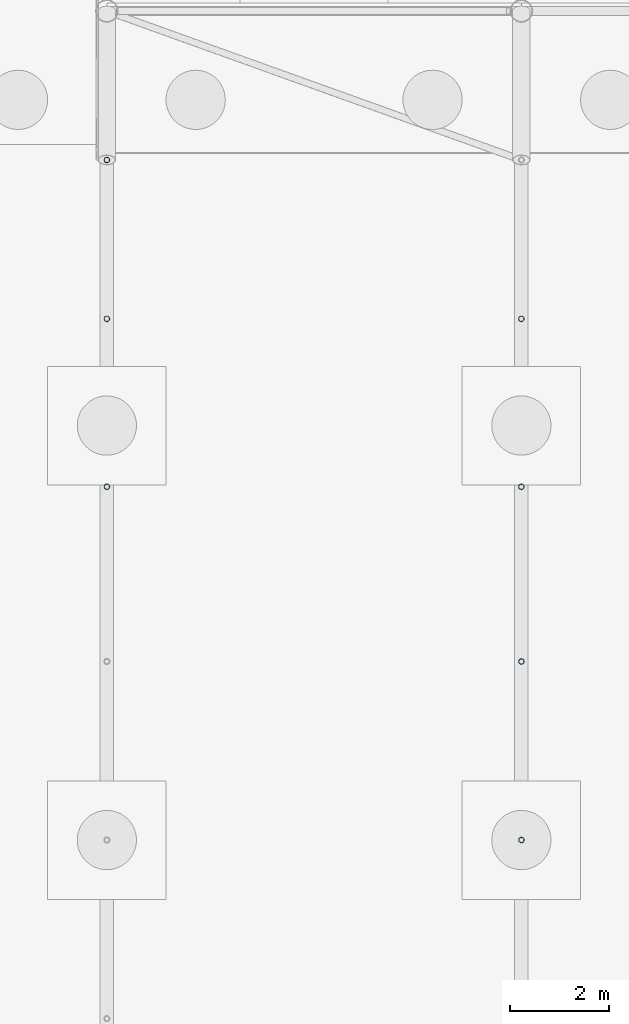
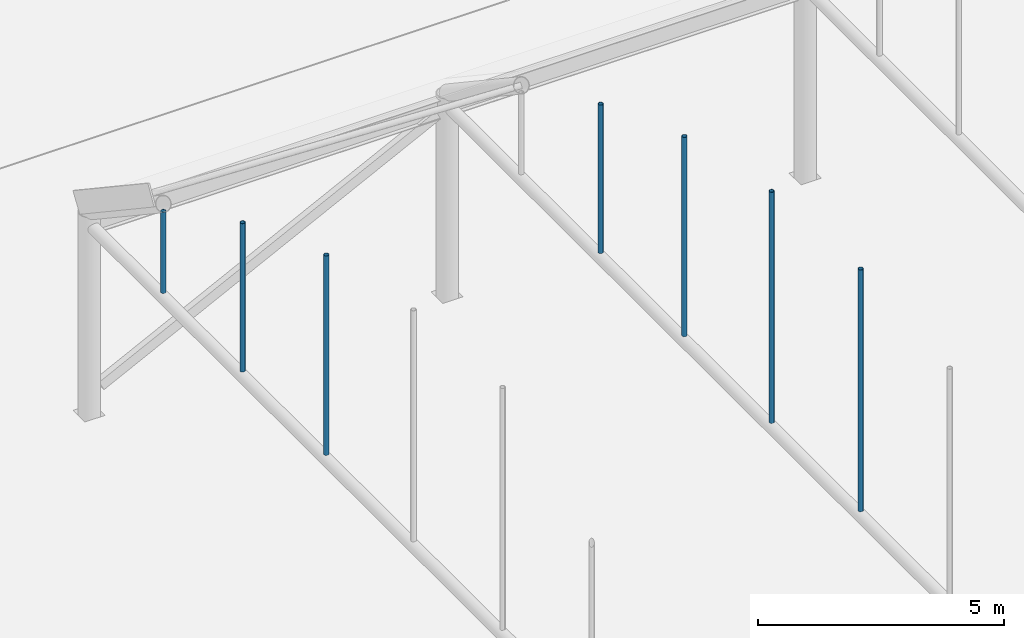
# One storey, part 47 of 212: 7 members.
"""IFC4 building model written with IfcOpenShell, lengths in metres."""

from ifc_helpers import new_model, si_unit, direction, frame, origin, origin_2d, place, context, subcontext, project, spatial, hollow_circle, extrude, material, material_profile, profile_set, type_object, element, save


model = new_model("IFC4")

# Units and contexts
model_context = context("Model", 3, precision=1e-05, world=origin(), true_north=direction((0.0, 1.0)))
body_context = subcontext(model_context, "Body", "Model", "MODEL_VIEW")
ifc_project = project(units=[si_unit("LENGTHUNIT", "METRE"), si_unit("AREAUNIT", "SQUARE_METRE"), si_unit("VOLUMEUNIT", "CUBIC_METRE"), si_unit("PLANEANGLEUNIT", "RADIAN"), si_unit("MASSUNIT", "GRAM", prefix="KILO")], contexts=[model_context])

# Site, building, storey
site_placement = place(None, origin())
site = spatial("IfcSite", under=ifc_project, at=site_placement, CompositionType="ELEMENT")
building_placement = place(site_placement, origin())
building = spatial("IfcBuilding", under=site, at=building_placement, Name="Catenary Quay Ferry Terminal", CompositionType="ELEMENT")
storey_placement = place(building_placement, origin())
storey = spatial("IfcBuildingStorey", under=building, at=storey_placement, Name="L00", CompositionType="ELEMENT", Elevation=0.0)

# Members
ifc_material = material(Name="Steel S355", Category="steel")
ifc_material_profile = material_profile(ifc_material, hollow_circle(Radius=0.05712890625, WallThickness=0.00634765625, at=origin_2d()), Name="CHS 114.3x6.3")
ifc_profile_set = profile_set([ifc_material_profile], Name="Steel S355")
member_type = type_object("IfcMemberType", Name="HG1 CHS 114.3x6.3", PredefinedType="POST", material=ifc_profile_set)
member_1_placement = place(storey_placement, frame((16.800048828125, 40.760009765625, 4.830078125), z_axis=(0.0, 0.0, 1.0), x_axis=(1.0, 0.0, 0.0)))
element("IfcMember", 1, at=member_1_placement, inside=storey, type_object=member_type, Name="Hanger CA-01-07", PredefinedType="POST", context=body_context, shape_type="SweptSolid", body=[
    extrude(hollow_circle(Radius=0.05712890625, WallThickness=0.00634765625, at=origin_2d()), origin(), (0.0, 0.0, 1.0), 4.94287109375),
])
member_2_placement = place(storey_placement, frame((16.800048828125, 44.162109375, 4.830078125), z_axis=(0.0, 0.0, 1.0), x_axis=(1.0, 0.0, 0.0)))
element("IfcMember", 2, at=member_2_placement, inside=storey, type_object=member_type, Name="Hanger CA-01-08", PredefinedType="POST", context=body_context, shape_type="SweptSolid", body=[
    extrude(hollow_circle(Radius=0.05712890625, WallThickness=0.00634765625, at=origin_2d()), origin(), (0.0, 0.0, 1.0), 3.681884765625),
])
member_3_placement = place(storey_placement, frame((16.800048828125, 47.382080078125, 4.830078125), z_axis=(0.0, 0.0, 1.0), x_axis=(1.0, 0.0, 0.0)))
element("IfcMember", 3, at=member_3_placement, inside=storey, type_object=member_type, Name="Hanger CA-01-09", PredefinedType="POST", context=body_context, shape_type="SweptSolid", body=[
    extrude(hollow_circle(Radius=0.05712890625, WallThickness=0.00634765625, at=origin_2d()), origin(), (0.0, 0.0, 1.0), 2.010986328125),
])
member_4_placement = place(storey_placement, frame((25.199951171875, 33.60009765625, 4.830078125), z_axis=(0.0, 0.0, 1.0), x_axis=(1.0, 0.0, 0.0)))
element("IfcMember", 4, at=member_4_placement, inside=storey, type_object=member_type, Name="Hanger CA-02-05", PredefinedType="POST", context=body_context, shape_type="SweptSolid", body=[
    extrude(hollow_circle(Radius=0.05712890625, WallThickness=0.00634765625, at=origin_2d()), origin(), (0.0, 0.0, 1.0), 5.997802734375),
])
member_5_placement = place(storey_placement, frame((25.199951171875, 37.218017578125, 4.830078125), z_axis=(0.0, 0.0, 1.0), x_axis=(1.0, 0.0, 0.0)))
element("IfcMember", 5, at=member_5_placement, inside=storey, type_object=member_type, Name="Hanger CA-02-06", PredefinedType="POST", context=body_context, shape_type="SweptSolid", body=[
    extrude(hollow_circle(Radius=0.05712890625, WallThickness=0.00634765625, at=origin_2d()), origin(), (0.0, 0.0, 1.0), 5.72998046875),
])
member_6_placement = place(storey_placement, frame((25.199951171875, 40.760009765625, 4.830078125), z_axis=(0.0, 0.0, 1.0), x_axis=(1.0, 0.0, 0.0)))
element("IfcMember", 6, at=member_6_placement, inside=storey, type_object=member_type, Name="Hanger CA-02-07", PredefinedType="POST", context=body_context, shape_type="SweptSolid", body=[
    extrude(hollow_circle(Radius=0.05712890625, WallThickness=0.00634765625, at=origin_2d()), origin(), (0.0, 0.0, 1.0), 4.94287109375),
])
member_7_placement = place(storey_placement, frame((25.199951171875, 44.162109375, 4.830078125), z_axis=(0.0, 0.0, 1.0), x_axis=(1.0, 0.0, 0.0)))
element("IfcMember", 7, at=member_7_placement, inside=storey, type_object=member_type, Name="Hanger CA-02-08", PredefinedType="POST", context=body_context, shape_type="SweptSolid", body=[
    extrude(hollow_circle(Radius=0.05712890625, WallThickness=0.00634765625, at=origin_2d()), origin(), (0.0, 0.0, 1.0), 3.681884765625),
])

save(model, "model.ifc")
